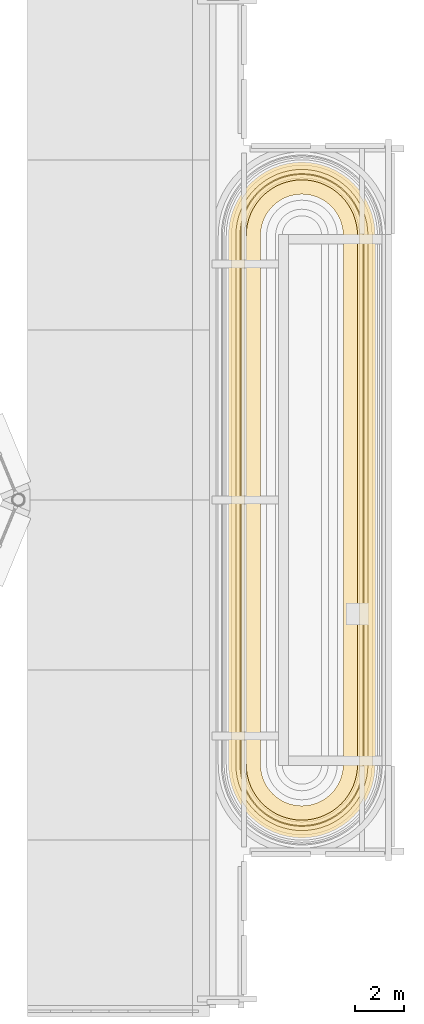
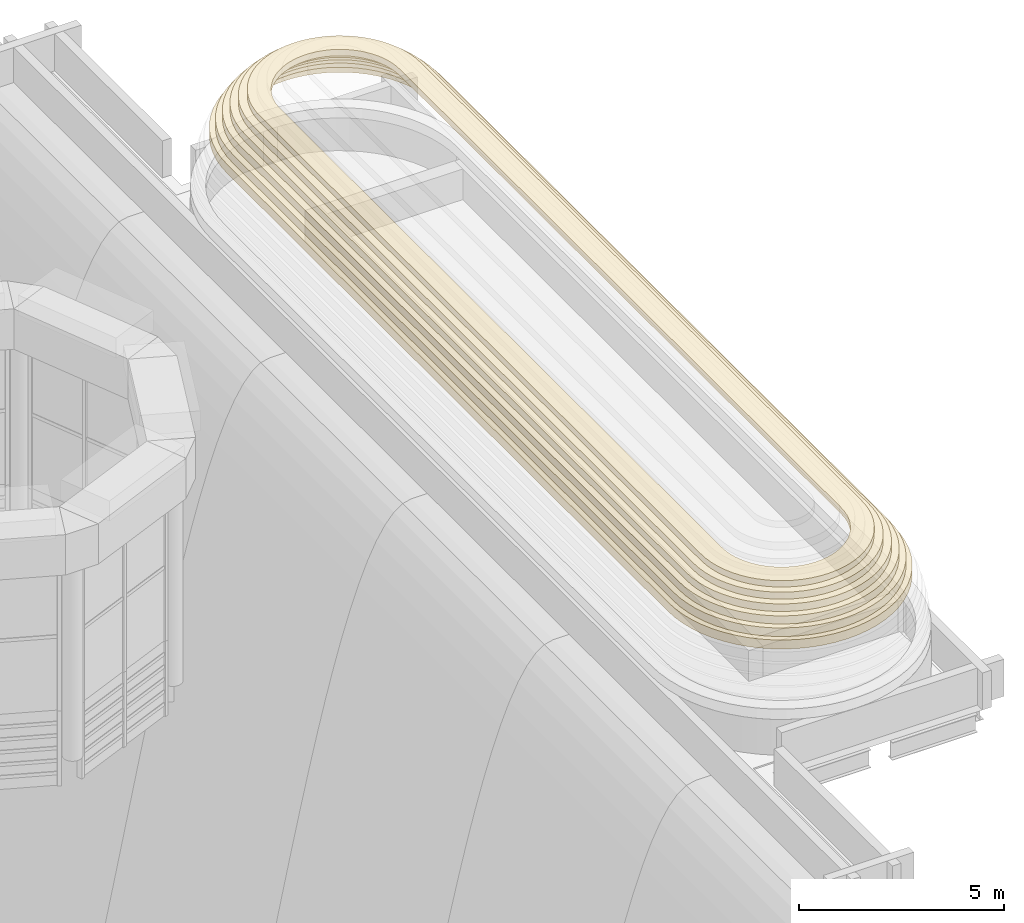
# One storey, part 13 of 14: 6 coverings.
"""IFC4 building model written with IfcOpenShell, lengths in metres."""

from ifc_helpers import new_model, si_unit, direction, frame, origin, place, context, subcontext, project, spatial, polyline, outline, extrude, material, layer, layer_set, type_object, element, save


model = new_model("IFC4")

# Units and contexts
model_context = context("Model", 3, precision=1e-05, world=origin(), true_north=direction((0.0, 1.0)))
body_context = subcontext(model_context, "Body", "Model", "MODEL_VIEW")
ifc_project = project(units=[si_unit("LENGTHUNIT", "METRE"), si_unit("AREAUNIT", "SQUARE_METRE"), si_unit("VOLUMEUNIT", "CUBIC_METRE"), si_unit("PLANEANGLEUNIT", "RADIAN"), si_unit("MASSUNIT", "GRAM", prefix="KILO")], contexts=[model_context])

# Site, building, storey
site_placement = place(None, origin())
site = spatial("IfcSite", under=ifc_project, at=site_placement, CompositionType="ELEMENT")
building_placement = place(site_placement, origin())
building = spatial("IfcBuilding", under=site, at=building_placement, Name="Cobrizo Arcos Hotel Tower", CompositionType="ELEMENT")
storey_placement = place(building_placement, frame((0.0, 0.0, 290.0)))
storey = spatial("IfcBuildingStorey", under=building, at=storey_placement, Name="RF", CompositionType="ELEMENT", Elevation=290.0)

# Coverings
ifc_material = material(Name="Aluminium 6063-T6 anodised pale", Category="aluminium")
ifc_layer = layer(ifc_material, 0.35009765625)
ifc_layer_set = layer_set([ifc_layer], Name="CB-7 shoulder roll course 350")
covering_type = type_object("IfcCoveringType", Name="CB-7 shoulder roll course 350", PredefinedType="CLADDING", material=ifc_layer_set)
covering_1_placement = place(storey_placement, frame((0.0, 0.0, 2.87060546875)))
element("IfcCovering", 1, at=covering_1_placement, inside=storey, type_object=covering_type, Name="Shoulder roll E course 7", PredefinedType="CLADDING", context=body_context, shape_type="SweptSolid", body=[
    extrude(outline(polyline([(13.564697265625, 10.738525390625), (13.58056640625, 11.062255859375), (13.62646484375, 11.371337890625), (13.702392578125, 11.674560546875), (13.8076171875, 11.96875), (13.941162109375, 12.251220703125), (14.101806640625, 12.519287109375), (14.2880859375, 12.7705078125), (14.498046875, 13.001953125), (14.7294921875, 13.2119140625), (14.980712890625, 13.398193359375), (15.248779296875, 13.558837890625), (15.53125, 13.6923828125), (15.825439453125, 13.797607421875), (16.128662109375, 13.87353515625), (16.437744140625, 13.91943359375), (16.75, 13.934814453125), (17.062255859375, 13.91943359375), (17.371337890625, 13.87353515625), (17.674560546875, 13.797607421875), (17.96875, 13.6923828125), (18.251220703125, 13.558837890625), (18.519287109375, 13.398193359375), (18.7705078125, 13.2119140625), (19.001953125, 13.001953125), (19.2119140625, 12.7705078125), (19.398193359375, 12.519287109375), (19.558837890625, 12.251220703125), (19.6923828125, 11.96875), (19.797607421875, 11.674560546875), (19.87353515625, 11.371337890625), (19.91943359375, 11.062255859375), (19.935302734375, 10.738525390625), (19.935302734375, -10.738525390625), (19.91943359375, -11.062255859375), (19.87353515625, -11.371337890625), (19.797607421875, -11.674560546875), (19.6923828125, -11.96875), (19.558837890625, -12.251220703125), (19.398193359375, -12.519287109375), (19.2119140625, -12.7705078125), (19.001953125, -13.001953125), (18.7705078125, -13.2119140625), (18.519287109375, -13.398193359375), (18.251220703125, -13.558837890625), (17.96875, -13.6923828125), (17.674560546875, -13.797607421875), (17.371337890625, -13.87353515625), (17.062255859375, -13.91943359375), (16.75, -13.934814453125), (16.437744140625, -13.91943359375), (16.128662109375, -13.87353515625), (15.825439453125, -13.797607421875), (15.53125, -13.6923828125), (15.248779296875, -13.558837890625), (14.980712890625, -13.398193359375), (14.7294921875, -13.2119140625), (14.498046875, -13.001953125), (14.2880859375, -12.7705078125), (14.101806640625, -12.519287109375), (13.941162109375, -12.251220703125), (13.8076171875, -11.96875), (13.702392578125, -11.674560546875), (13.62646484375, -11.371337890625), (13.58056640625, -11.062255859375), (13.564697265625, -10.738525390625), (13.564697265625, 10.738525390625)]), holes=[polyline([(14.064208984375, 10.726318359375), (14.078125, 11.01318359375), (14.11669921875, 11.273681640625), (14.180908203125, 11.529296875), (14.26953125, 11.77734375), (14.38232421875, 12.015625), (14.517578125, 12.24169921875), (14.6748046875, 12.453125), (14.8515625, 12.6484375), (15.046875, 12.8251953125), (15.25830078125, 12.982421875), (15.484375, 13.11767578125), (15.72265625, 13.23046875), (15.970703125, 13.319091796875), (16.226318359375, 13.38330078125), (16.48681640625, 13.421875), (16.75, 13.434814453125), (17.01318359375, 13.421875), (17.273681640625, 13.38330078125), (17.529296875, 13.319091796875), (17.77734375, 13.23046875), (18.015625, 13.11767578125), (18.24169921875, 12.982421875), (18.453125, 12.8251953125), (18.6484375, 12.6484375), (18.8251953125, 12.453125), (18.982421875, 12.24169921875), (19.11767578125, 12.015625), (19.23046875, 11.77734375), (19.319091796875, 11.529296875), (19.38330078125, 11.273681640625), (19.421875, 11.01318359375), (19.435791015625, 10.726318359375), (19.435791015625, -10.726318359375), (19.421875, -11.01318359375), (19.38330078125, -11.273681640625), (19.319091796875, -11.529296875), (19.23046875, -11.77734375), (19.11767578125, -12.015625), (18.982421875, -12.24169921875), (18.8251953125, -12.453125), (18.6484375, -12.6484375), (18.453125, -12.8251953125), (18.24169921875, -12.982421875), (18.015625, -13.11767578125), (17.77734375, -13.23046875), (17.529296875, -13.319091796875), (17.273681640625, -13.38330078125), (17.01318359375, -13.421875), (16.75, -13.434814453125), (16.48681640625, -13.421875), (16.226318359375, -13.38330078125), (15.970703125, -13.319091796875), (15.72265625, -13.23046875), (15.484375, -13.11767578125), (15.25830078125, -12.982421875), (15.046875, -12.8251953125), (14.8515625, -12.6484375), (14.6748046875, -12.453125), (14.517578125, -12.24169921875), (14.38232421875, -12.015625), (14.26953125, -11.77734375), (14.180908203125, -11.529296875), (14.11669921875, -11.273681640625), (14.078125, -11.01318359375), (14.064208984375, -10.726318359375), (14.064208984375, 10.726318359375)])]), origin(), (0.0, 0.0, 1.0), 0.26708984375),
])
covering_2_placement = place(storey_placement, frame((0.0, 0.0, 3.1376953125)))
element("IfcCovering", 2, at=covering_2_placement, inside=storey, type_object=covering_type, Name="Shoulder roll E course 8", PredefinedType="CLADDING", context=body_context, shape_type="SweptSolid", body=[
    extrude(outline(polyline([(13.714111328125, 10.73486328125), (13.7294921875, 11.047607421875), (13.773193359375, 11.342041015625), (13.845458984375, 11.631103515625), (13.94580078125, 11.91162109375), (14.0732421875, 12.180908203125), (14.226318359375, 12.436279296875), (14.40380859375, 12.675537109375), (14.603759765625, 12.896240234375), (14.824462890625, 13.09619140625), (15.063720703125, 13.273681640625), (15.319091796875, 13.4267578125), (15.58837890625, 13.55419921875), (15.868896484375, 13.654541015625), (16.157958984375, 13.726806640625), (16.452392578125, 13.7705078125), (16.75, 13.78515625), (17.047607421875, 13.7705078125), (17.342041015625, 13.726806640625), (17.631103515625, 13.654541015625), (17.91162109375, 13.55419921875), (18.180908203125, 13.4267578125), (18.436279296875, 13.273681640625), (18.675537109375, 13.09619140625), (18.896240234375, 12.896240234375), (19.09619140625, 12.675537109375), (19.273681640625, 12.436279296875), (19.4267578125, 12.180908203125), (19.55419921875, 11.91162109375), (19.654541015625, 11.631103515625), (19.726806640625, 11.342041015625), (19.7705078125, 11.047607421875), (19.785888671875, 10.73486328125), (19.785888671875, -10.73486328125), (19.7705078125, -11.047607421875), (19.726806640625, -11.342041015625), (19.654541015625, -11.631103515625), (19.55419921875, -11.91162109375), (19.4267578125, -12.180908203125), (19.273681640625, -12.436279296875), (19.09619140625, -12.675537109375), (18.896240234375, -12.896240234375), (18.675537109375, -13.09619140625), (18.436279296875, -13.273681640625), (18.180908203125, -13.4267578125), (17.91162109375, -13.55419921875), (17.631103515625, -13.654541015625), (17.342041015625, -13.726806640625), (17.047607421875, -13.7705078125), (16.75, -13.78515625), (16.452392578125, -13.7705078125), (16.157958984375, -13.726806640625), (15.868896484375, -13.654541015625), (15.58837890625, -13.55419921875), (15.319091796875, -13.4267578125), (15.063720703125, -13.273681640625), (14.824462890625, -13.09619140625), (14.603759765625, -12.896240234375), (14.40380859375, -12.675537109375), (14.226318359375, -12.436279296875), (14.0732421875, -12.180908203125), (13.94580078125, -11.91162109375), (13.845458984375, -11.631103515625), (13.773193359375, -11.342041015625), (13.7294921875, -11.047607421875), (13.714111328125, -10.73486328125), (13.714111328125, 10.73486328125)]), holes=[polyline([(14.232177734375, 10.72216796875), (14.24560546875, 10.99658203125), (14.281982421875, 11.240966796875), (14.341796875, 11.48046875), (14.425048828125, 11.712890625), (14.53076171875, 11.936279296875), (14.65771484375, 12.14794921875), (14.8046875, 12.346435546875), (14.970703125, 12.529296875), (15.153564453125, 12.6953125), (15.35205078125, 12.84228515625), (15.563720703125, 12.96923828125), (15.787109375, 13.074951171875), (16.01953125, 13.158203125), (16.259033203125, 13.218017578125), (16.50341796875, 13.25439453125), (16.75, 13.266357421875), (16.99658203125, 13.25439453125), (17.240966796875, 13.218017578125), (17.48046875, 13.158203125), (17.712890625, 13.074951171875), (17.936279296875, 12.96923828125), (18.14794921875, 12.84228515625), (18.346435546875, 12.6953125), (18.529296875, 12.529296875), (18.6953125, 12.346435546875), (18.84228515625, 12.14794921875), (18.96923828125, 11.936279296875), (19.074951171875, 11.712890625), (19.158203125, 11.48046875), (19.218017578125, 11.240966796875), (19.25439453125, 10.99658203125), (19.267822265625, 10.72216796875), (19.267822265625, -10.72216796875), (19.25439453125, -10.99658203125), (19.218017578125, -11.240966796875), (19.158203125, -11.48046875), (19.074951171875, -11.712890625), (18.96923828125, -11.936279296875), (18.84228515625, -12.14794921875), (18.6953125, -12.346435546875), (18.529296875, -12.529296875), (18.346435546875, -12.6953125), (18.14794921875, -12.84228515625), (17.936279296875, -12.96923828125), (17.712890625, -13.074951171875), (17.48046875, -13.158203125), (17.240966796875, -13.218017578125), (16.99658203125, -13.25439453125), (16.75, -13.266357421875), (16.50341796875, -13.25439453125), (16.259033203125, -13.218017578125), (16.01953125, -13.158203125), (15.787109375, -13.074951171875), (15.563720703125, -12.96923828125), (15.35205078125, -12.84228515625), (15.153564453125, -12.6953125), (14.970703125, -12.529296875), (14.8046875, -12.346435546875), (14.65771484375, -12.14794921875), (14.53076171875, -11.936279296875), (14.425048828125, -11.712890625), (14.341796875, -11.48046875), (14.281982421875, -11.240966796875), (14.24560546875, -10.99658203125), (14.232177734375, -10.72216796875), (14.232177734375, 10.72216796875)])]), origin(), (0.0, 0.0, 1.0), 0.254638671875),
])
covering_3_placement = place(storey_placement, frame((0.0, 0.0, 3.392333984375)))
element("IfcCovering", 3, at=covering_3_placement, inside=storey, type_object=covering_type, Name="Shoulder roll E course 9", PredefinedType="CLADDING", context=body_context, shape_type="SweptSolid", body=[
    extrude(outline(polyline([(13.882080078125, 10.730712890625), (13.89697265625, 11.031005859375), (13.938232421875, 11.309326171875), (14.006591796875, 11.582275390625), (14.101318359375, 11.84716796875), (14.2216796875, 12.101318359375), (14.3662109375, 12.3427734375), (14.533935546875, 12.568603515625), (14.722900390625, 12.777099609375), (14.931396484375, 12.966064453125), (15.1572265625, 13.1337890625), (15.398681640625, 13.2783203125), (15.65283203125, 13.398681640625), (15.917724609375, 13.493408203125), (16.190673828125, 13.561767578125), (16.468994140625, 13.60302734375), (16.75, 13.61669921875), (17.031005859375, 13.60302734375), (17.309326171875, 13.561767578125), (17.582275390625, 13.493408203125), (17.84716796875, 13.398681640625), (18.101318359375, 13.2783203125), (18.3427734375, 13.1337890625), (18.568603515625, 12.966064453125), (18.777099609375, 12.777099609375), (18.966064453125, 12.568603515625), (19.1337890625, 12.3427734375), (19.2783203125, 12.101318359375), (19.398681640625, 11.84716796875), (19.493408203125, 11.582275390625), (19.561767578125, 11.309326171875), (19.60302734375, 11.031005859375), (19.617919921875, 10.730712890625), (19.617919921875, -10.730712890625), (19.60302734375, -11.031005859375), (19.561767578125, -11.309326171875), (19.493408203125, -11.582275390625), (19.398681640625, -11.84716796875), (19.2783203125, -12.101318359375), (19.1337890625, -12.3427734375), (18.966064453125, -12.568603515625), (18.777099609375, -12.777099609375), (18.568603515625, -12.966064453125), (18.3427734375, -13.1337890625), (18.101318359375, -13.2783203125), (17.84716796875, -13.398681640625), (17.582275390625, -13.493408203125), (17.309326171875, -13.561767578125), (17.031005859375, -13.60302734375), (16.75, -13.61669921875), (16.468994140625, -13.60302734375), (16.190673828125, -13.561767578125), (15.917724609375, -13.493408203125), (15.65283203125, -13.398681640625), (15.398681640625, -13.2783203125), (15.1572265625, -13.1337890625), (14.931396484375, -12.966064453125), (14.722900390625, -12.777099609375), (14.533935546875, -12.568603515625), (14.3662109375, -12.3427734375), (14.2216796875, -12.101318359375), (14.101318359375, -11.84716796875), (14.006591796875, -11.582275390625), (13.938232421875, -11.309326171875), (13.89697265625, -11.031005859375), (13.882080078125, -10.730712890625), (13.882080078125, 10.730712890625)]), holes=[polyline([(14.41796875, 10.717529296875), (14.430908203125, 10.978515625), (14.46435546875, 11.20458984375), (14.52001953125, 11.426513671875), (14.596923828125, 11.641845703125), (14.694580078125, 11.8486328125), (14.812255859375, 12.044677734375), (14.948486328125, 12.228515625), (15.10205078125, 12.39794921875), (15.271484375, 12.551513671875), (15.455322265625, 12.687744140625), (15.6513671875, 12.805419921875), (15.858154296875, 12.903076171875), (16.073486328125, 12.97998046875), (16.29541015625, 13.03564453125), (16.521484375, 13.069091796875), (16.75, 13.08056640625), (16.978515625, 13.069091796875), (17.20458984375, 13.03564453125), (17.426513671875, 12.97998046875), (17.641845703125, 12.903076171875), (17.8486328125, 12.805419921875), (18.044677734375, 12.687744140625), (18.228515625, 12.551513671875), (18.39794921875, 12.39794921875), (18.551513671875, 12.228515625), (18.687744140625, 12.044677734375), (18.805419921875, 11.8486328125), (18.903076171875, 11.641845703125), (18.97998046875, 11.426513671875), (19.03564453125, 11.20458984375), (19.069091796875, 10.978515625), (19.08203125, 10.717529296875), (19.08203125, -10.717529296875), (19.069091796875, -10.978515625), (19.03564453125, -11.20458984375), (18.97998046875, -11.426513671875), (18.903076171875, -11.641845703125), (18.805419921875, -11.8486328125), (18.687744140625, -12.044677734375), (18.551513671875, -12.228515625), (18.39794921875, -12.39794921875), (18.228515625, -12.551513671875), (18.044677734375, -12.687744140625), (17.8486328125, -12.805419921875), (17.641845703125, -12.903076171875), (17.426513671875, -12.97998046875), (17.20458984375, -13.03564453125), (16.978515625, -13.069091796875), (16.75, -13.08056640625), (16.521484375, -13.069091796875), (16.29541015625, -13.03564453125), (16.073486328125, -12.97998046875), (15.858154296875, -12.903076171875), (15.6513671875, -12.805419921875), (15.455322265625, -12.687744140625), (15.271484375, -12.551513671875), (15.10205078125, -12.39794921875), (14.948486328125, -12.228515625), (14.812255859375, -12.044677734375), (14.694580078125, -11.8486328125), (14.596923828125, -11.641845703125), (14.52001953125, -11.426513671875), (14.46435546875, -11.20458984375), (14.430908203125, -10.978515625), (14.41796875, -10.717529296875), (14.41796875, 10.717529296875)])]), origin(), (0.0, 0.0, 1.0), 0.240478515625),
])
covering_4_placement = place(storey_placement, frame((0.0, 0.0, 3.6328125)))
element("IfcCovering", 4, at=covering_4_placement, inside=storey, type_object=covering_type, Name="Shoulder roll E course 10", PredefinedType="CLADDING", context=body_context, shape_type="SweptSolid", body=[
    extrude(outline(polyline([(14.068115234375, 10.726318359375), (14.08203125, 11.0126953125), (14.12060546875, 11.27294921875), (14.1845703125, 11.5283203125), (14.273193359375, 11.77587890625), (14.3857421875, 12.013916015625), (14.52099609375, 12.239501953125), (14.677734375, 12.45068359375), (14.854248046875, 12.645751953125), (15.04931640625, 12.822265625), (15.260498046875, 12.97900390625), (15.486083984375, 13.1142578125), (15.72412109375, 13.226806640625), (15.9716796875, 13.3154296875), (16.22705078125, 13.37939453125), (16.4873046875, 13.41796875), (16.75, 13.430908203125), (17.0126953125, 13.41796875), (17.27294921875, 13.37939453125), (17.5283203125, 13.3154296875), (17.77587890625, 13.226806640625), (18.013916015625, 13.1142578125), (18.239501953125, 12.97900390625), (18.45068359375, 12.822265625), (18.645751953125, 12.645751953125), (18.822265625, 12.45068359375), (18.97900390625, 12.239501953125), (19.1142578125, 12.013916015625), (19.226806640625, 11.77587890625), (19.3154296875, 11.5283203125), (19.37939453125, 11.27294921875), (19.41796875, 11.0126953125), (19.431884765625, 10.726318359375), (19.431884765625, -10.726318359375), (19.41796875, -11.0126953125), (19.37939453125, -11.27294921875), (19.3154296875, -11.5283203125), (19.226806640625, -11.77587890625), (19.1142578125, -12.013916015625), (18.97900390625, -12.239501953125), (18.822265625, -12.45068359375), (18.645751953125, -12.645751953125), (18.45068359375, -12.822265625), (18.239501953125, -12.97900390625), (18.013916015625, -13.1142578125), (17.77587890625, -13.226806640625), (17.5283203125, -13.3154296875), (17.27294921875, -13.37939453125), (17.0126953125, -13.41796875), (16.75, -13.430908203125), (16.4873046875, -13.41796875), (16.22705078125, -13.37939453125), (15.9716796875, -13.3154296875), (15.72412109375, -13.226806640625), (15.486083984375, -13.1142578125), (15.260498046875, -12.97900390625), (15.04931640625, -12.822265625), (14.854248046875, -12.645751953125), (14.677734375, -12.45068359375), (14.52099609375, -12.239501953125), (14.3857421875, -12.013916015625), (14.273193359375, -11.77587890625), (14.1845703125, -11.5283203125), (14.12060546875, -11.27294921875), (14.08203125, -11.0126953125), (14.068115234375, -10.726318359375), (14.068115234375, 10.726318359375)]), holes=[polyline([(14.6201171875, 10.712646484375), (14.632080078125, 10.95849609375), (14.662841796875, 11.165283203125), (14.713623046875, 11.36767578125), (14.783935546875, 11.564453125), (14.873291015625, 11.753173828125), (14.980712890625, 11.932373046875), (15.10498046875, 12.10009765625), (15.245361328125, 12.254638671875), (15.39990234375, 12.39501953125), (15.567626953125, 12.519287109375), (15.746826171875, 12.626708984375), (15.935546875, 12.716064453125), (16.13232421875, 12.786376953125), (16.334716796875, 12.837158203125), (16.54150390625, 12.867919921875), (16.75, 12.8779296875), (16.95849609375, 12.867919921875), (17.165283203125, 12.837158203125), (17.36767578125, 12.786376953125), (17.564453125, 12.716064453125), (17.753173828125, 12.626708984375), (17.932373046875, 12.519287109375), (18.10009765625, 12.39501953125), (18.254638671875, 12.254638671875), (18.39501953125, 12.10009765625), (18.519287109375, 11.932373046875), (18.626708984375, 11.753173828125), (18.716064453125, 11.564453125), (18.786376953125, 11.36767578125), (18.837158203125, 11.165283203125), (18.867919921875, 10.95849609375), (18.8798828125, 10.712646484375), (18.8798828125, -10.712646484375), (18.867919921875, -10.95849609375), (18.837158203125, -11.165283203125), (18.786376953125, -11.36767578125), (18.716064453125, -11.564453125), (18.626708984375, -11.753173828125), (18.519287109375, -11.932373046875), (18.39501953125, -12.10009765625), (18.254638671875, -12.254638671875), (18.10009765625, -12.39501953125), (17.932373046875, -12.519287109375), (17.753173828125, -12.626708984375), (17.564453125, -12.716064453125), (17.36767578125, -12.786376953125), (17.165283203125, -12.837158203125), (16.95849609375, -12.867919921875), (16.75, -12.8779296875), (16.54150390625, -12.867919921875), (16.334716796875, -12.837158203125), (16.13232421875, -12.786376953125), (15.935546875, -12.716064453125), (15.746826171875, -12.626708984375), (15.567626953125, -12.519287109375), (15.39990234375, -12.39501953125), (15.245361328125, -12.254638671875), (15.10498046875, -12.10009765625), (14.980712890625, -11.932373046875), (14.873291015625, -11.753173828125), (14.783935546875, -11.564453125), (14.713623046875, -11.36767578125), (14.662841796875, -11.165283203125), (14.632080078125, -10.95849609375), (14.6201171875, -10.712646484375), (14.6201171875, 10.712646484375)])]), origin(), (0.0, 0.0, 1.0), 0.224853515625),
])
covering_5_placement = place(storey_placement, frame((0.0, 0.0, 3.857666015625)))
element("IfcCovering", 5, at=covering_5_placement, inside=storey, type_object=covering_type, Name="Shoulder roll E course 11", PredefinedType="CLADDING", context=body_context, shape_type="SweptSolid", body=[
    extrude(outline(polyline([(14.27001953125, 10.72119140625), (14.283447265625, 10.992919921875), (14.319091796875, 11.2333984375), (14.37841796875, 11.469482421875), (14.460205078125, 11.698486328125), (14.564208984375, 11.918212890625), (14.689208984375, 12.126953125), (14.833984375, 12.322265625), (14.99755859375, 12.50244140625), (15.177734375, 12.666015625), (15.373046875, 12.810791015625), (15.581787109375, 12.935791015625), (15.801513671875, 13.039794921875), (16.030517578125, 13.12158203125), (16.2666015625, 13.180908203125), (16.507080078125, 13.216552734375), (16.75, 13.228515625), (16.992919921875, 13.216552734375), (17.2333984375, 13.180908203125), (17.469482421875, 13.12158203125), (17.698486328125, 13.039794921875), (17.918212890625, 12.935791015625), (18.126953125, 12.810791015625), (18.322265625, 12.666015625), (18.50244140625, 12.50244140625), (18.666015625, 12.322265625), (18.810791015625, 12.126953125), (18.935791015625, 11.918212890625), (19.039794921875, 11.698486328125), (19.12158203125, 11.469482421875), (19.180908203125, 11.2333984375), (19.216552734375, 10.992919921875), (19.22998046875, 10.72119140625), (19.22998046875, -10.72119140625), (19.216552734375, -10.992919921875), (19.180908203125, -11.2333984375), (19.12158203125, -11.469482421875), (19.039794921875, -11.698486328125), (18.935791015625, -11.918212890625), (18.810791015625, -12.126953125), (18.666015625, -12.322265625), (18.50244140625, -12.50244140625), (18.322265625, -12.666015625), (18.126953125, -12.810791015625), (17.918212890625, -12.935791015625), (17.698486328125, -13.039794921875), (17.469482421875, -13.12158203125), (17.2333984375, -13.180908203125), (16.992919921875, -13.216552734375), (16.75, -13.228515625), (16.507080078125, -13.216552734375), (16.2666015625, -13.180908203125), (16.030517578125, -13.12158203125), (15.801513671875, -13.039794921875), (15.581787109375, -12.935791015625), (15.373046875, -12.810791015625), (15.177734375, -12.666015625), (14.99755859375, -12.50244140625), (14.833984375, -12.322265625), (14.689208984375, -12.126953125), (14.564208984375, -11.918212890625), (14.460205078125, -11.698486328125), (14.37841796875, -11.469482421875), (14.319091796875, -11.2333984375), (14.283447265625, -10.992919921875), (14.27001953125, -10.72119140625), (14.27001953125, 10.72119140625)]), holes=[polyline([(14.83740234375, 10.707275390625), (14.848876953125, 10.937255859375), (14.876220703125, 11.122802734375), (14.921875, 11.3046875), (14.985107421875, 11.481201171875), (15.065185546875, 11.650634765625), (15.16162109375, 11.811279296875), (15.273193359375, 11.9619140625), (15.399169921875, 12.100830078125), (15.5380859375, 12.226806640625), (15.688720703125, 12.33837890625), (15.849365234375, 12.434814453125), (16.018798828125, 12.514892578125), (16.1953125, 12.578125), (16.377197265625, 12.623779296875), (16.562744140625, 12.651123046875), (16.75, 12.660400390625), (16.937255859375, 12.651123046875), (17.122802734375, 12.623779296875), (17.3046875, 12.578125), (17.481201171875, 12.514892578125), (17.650634765625, 12.434814453125), (17.811279296875, 12.33837890625), (17.9619140625, 12.226806640625), (18.100830078125, 12.100830078125), (18.226806640625, 11.9619140625), (18.33837890625, 11.811279296875), (18.434814453125, 11.650634765625), (18.514892578125, 11.481201171875), (18.578125, 11.3046875), (18.623779296875, 11.122802734375), (18.651123046875, 10.937255859375), (18.66259765625, 10.707275390625), (18.66259765625, -10.707275390625), (18.651123046875, -10.937255859375), (18.623779296875, -11.122802734375), (18.578125, -11.3046875), (18.514892578125, -11.481201171875), (18.434814453125, -11.650634765625), (18.33837890625, -11.811279296875), (18.226806640625, -11.9619140625), (18.100830078125, -12.100830078125), (17.9619140625, -12.226806640625), (17.811279296875, -12.33837890625), (17.650634765625, -12.434814453125), (17.481201171875, -12.514892578125), (17.3046875, -12.578125), (17.122802734375, -12.623779296875), (16.937255859375, -12.651123046875), (16.75, -12.660400390625), (16.562744140625, -12.651123046875), (16.377197265625, -12.623779296875), (16.1953125, -12.578125), (16.018798828125, -12.514892578125), (15.849365234375, -12.434814453125), (15.688720703125, -12.33837890625), (15.5380859375, -12.226806640625), (15.399169921875, -12.100830078125), (15.273193359375, -11.9619140625), (15.16162109375, -11.811279296875), (15.065185546875, -11.650634765625), (14.985107421875, -11.481201171875), (14.921875, -11.3046875), (14.876220703125, -11.122802734375), (14.848876953125, -10.937255859375), (14.83740234375, -10.707275390625), (14.83740234375, 10.707275390625)])]), origin(), (0.0, 0.0, 1.0), 0.2080078125),
])
covering_6_placement = place(storey_placement, frame((0.0, 0.0, 4.065673828125)))
element("IfcCovering", 6, at=covering_6_placement, inside=storey, type_object=covering_type, Name="Shoulder roll E course 12", PredefinedType="CLADDING", context=body_context, shape_type="SweptSolid", body=[
    extrude(outline(polyline([(14.487548828125, 10.7158203125), (14.5, 10.9716796875), (14.53271484375, 11.191162109375), (14.58642578125, 11.40625), (14.661376953125, 11.615234375), (14.756103515625, 11.815673828125), (14.8701171875, 12.006103515625), (15.00244140625, 12.18408203125), (15.1513671875, 12.3486328125), (15.31591796875, 12.49755859375), (15.493896484375, 12.6298828125), (15.684326171875, 12.743896484375), (15.884765625, 12.838623046875), (16.09375, 12.91357421875), (16.308837890625, 12.96728515625), (16.5283203125, 13.0), (16.75, 13.0107421875), (16.9716796875, 13.0), (17.191162109375, 12.96728515625), (17.40625, 12.91357421875), (17.615234375, 12.838623046875), (17.815673828125, 12.743896484375), (18.006103515625, 12.6298828125), (18.18408203125, 12.49755859375), (18.3486328125, 12.3486328125), (18.49755859375, 12.18408203125), (18.6298828125, 12.006103515625), (18.743896484375, 11.815673828125), (18.838623046875, 11.615234375), (18.91357421875, 11.40625), (18.96728515625, 11.191162109375), (19.0, 10.9716796875), (19.012451171875, 10.7158203125), (19.012451171875, -10.7158203125), (19.0, -10.9716796875), (18.96728515625, -11.191162109375), (18.91357421875, -11.40625), (18.838623046875, -11.615234375), (18.743896484375, -11.815673828125), (18.6298828125, -12.006103515625), (18.49755859375, -12.18408203125), (18.3486328125, -12.3486328125), (18.18408203125, -12.49755859375), (18.006103515625, -12.6298828125), (17.815673828125, -12.743896484375), (17.615234375, -12.838623046875), (17.40625, -12.91357421875), (17.191162109375, -12.96728515625), (16.9716796875, -13.0), (16.75, -13.0107421875), (16.5283203125, -13.0), (16.308837890625, -12.96728515625), (16.09375, -12.91357421875), (15.884765625, -12.838623046875), (15.684326171875, -12.743896484375), (15.493896484375, -12.6298828125), (15.31591796875, -12.49755859375), (15.1513671875, -12.3486328125), (15.00244140625, -12.18408203125), (14.8701171875, -12.006103515625), (14.756103515625, -11.815673828125), (14.661376953125, -11.615234375), (14.58642578125, -11.40625), (14.53271484375, -11.191162109375), (14.5, -10.9716796875), (14.487548828125, -10.7158203125), (14.487548828125, 10.7158203125)]), holes=[polyline([(15.068603515625, 10.70166015625), (15.0791015625, 10.91455078125), (15.103271484375, 11.077392578125), (15.143310546875, 11.2373046875), (15.19873046875, 11.392578125), (15.269287109375, 11.54150390625), (15.35400390625, 11.682861328125), (15.4521484375, 11.815185546875), (15.562744140625, 11.937255859375), (15.684814453125, 12.0478515625), (15.817138671875, 12.14599609375), (15.95849609375, 12.230712890625), (16.107421875, 12.30126953125), (16.2626953125, 12.356689453125), (16.422607421875, 12.396728515625), (16.58544921875, 12.4208984375), (16.75, 12.428955078125), (16.91455078125, 12.4208984375), (17.077392578125, 12.396728515625), (17.2373046875, 12.356689453125), (17.392578125, 12.30126953125), (17.54150390625, 12.230712890625), (17.682861328125, 12.14599609375), (17.815185546875, 12.0478515625), (17.937255859375, 11.937255859375), (18.0478515625, 11.815185546875), (18.14599609375, 11.682861328125), (18.230712890625, 11.54150390625), (18.30126953125, 11.392578125), (18.356689453125, 11.2373046875), (18.396728515625, 11.077392578125), (18.4208984375, 10.91455078125), (18.431396484375, 10.70166015625), (18.431396484375, -10.70166015625), (18.4208984375, -10.91455078125), (18.396728515625, -11.077392578125), (18.356689453125, -11.2373046875), (18.30126953125, -11.392578125), (18.230712890625, -11.54150390625), (18.14599609375, -11.682861328125), (18.0478515625, -11.815185546875), (17.937255859375, -11.937255859375), (17.815185546875, -12.0478515625), (17.682861328125, -12.14599609375), (17.54150390625, -12.230712890625), (17.392578125, -12.30126953125), (17.2373046875, -12.356689453125), (17.077392578125, -12.396728515625), (16.91455078125, -12.4208984375), (16.75, -12.428955078125), (16.58544921875, -12.4208984375), (16.422607421875, -12.396728515625), (16.2626953125, -12.356689453125), (16.107421875, -12.30126953125), (15.95849609375, -12.230712890625), (15.817138671875, -12.14599609375), (15.684814453125, -12.0478515625), (15.562744140625, -11.937255859375), (15.4521484375, -11.815185546875), (15.35400390625, -11.682861328125), (15.269287109375, -11.54150390625), (15.19873046875, -11.392578125), (15.143310546875, -11.2373046875), (15.103271484375, -11.077392578125), (15.0791015625, -10.91455078125), (15.068603515625, -10.70166015625), (15.068603515625, 10.70166015625)])]), origin(), (0.0, 0.0, 1.0), 0.189453125),
])

save(model, "model.ifc")
